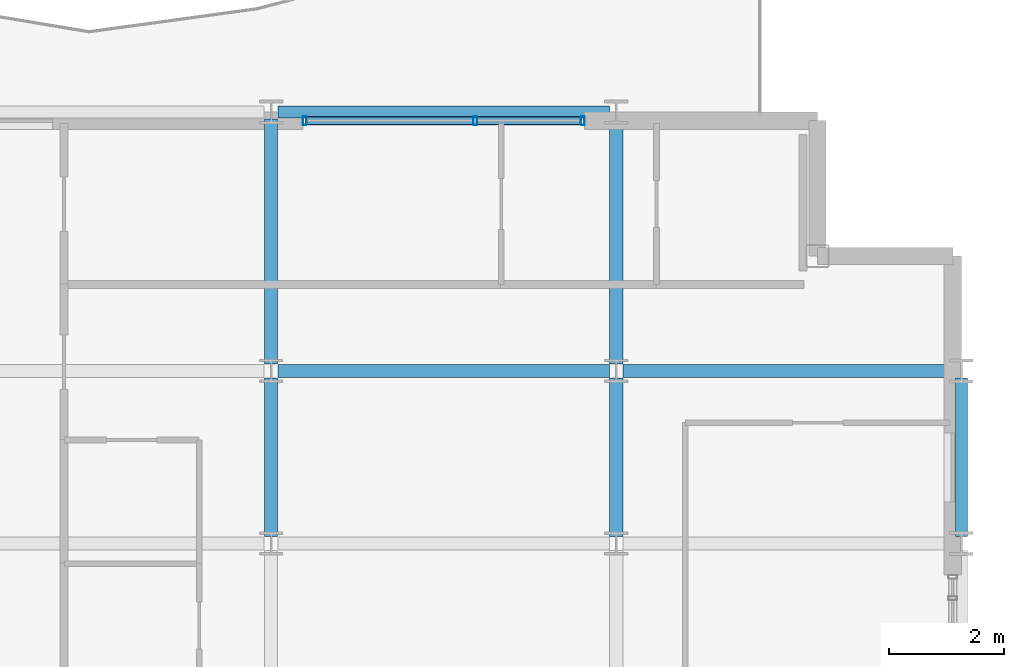
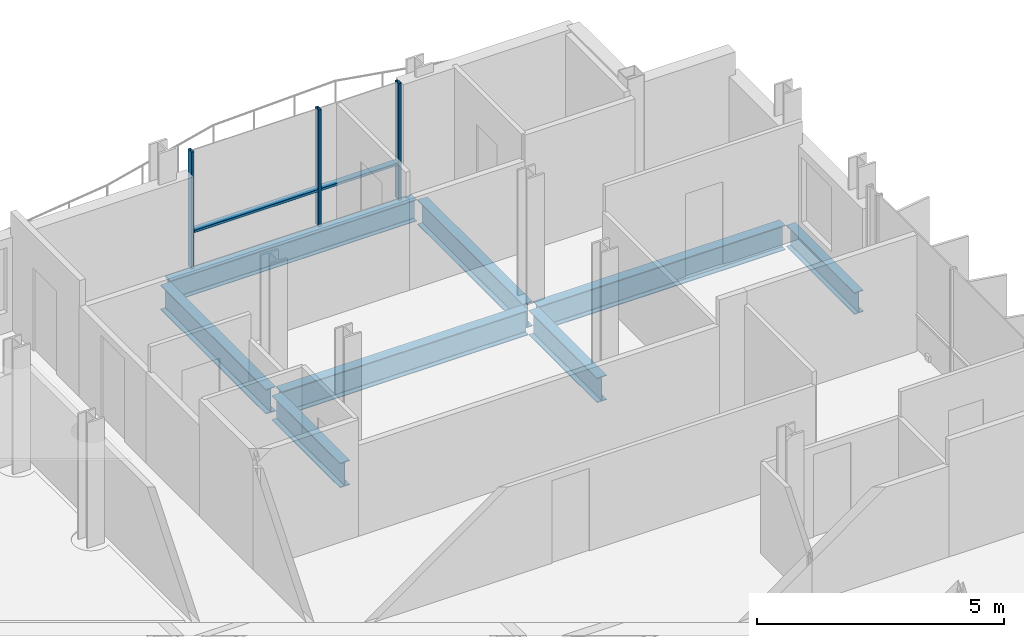
# One storey, part 22 of 39: 8 beams, 5 members, 1 element without a shape of its own.
"""IFC4 building model written with IfcOpenShell, lengths in metres."""

import ifcopenshell
import ifcopenshell.guid

model = None  # the IFC model being written
_history = None  # IfcOwnerHistory: only IFC2X3 demands one
_inside = {}  # id of a spatial element -> (the spatial element, [elements in it])
_under = {}  # id of a project, library or spatial element -> (it, [spatial elements below it])
_declared = {}  # id of a project -> (the project, [libraries it declares])
_typed = {}  # id of a type object -> (the type object, [elements of that type])
_made_of = {}  # id of a material, layer set ... -> (it, [elements and type objects made of it])


def new_model(schema):
    """Start an empty IFC model of exactly this schema.

    Asked for "IFC4X3", IfcOpenShell would pick the latest addendum, in which some entities
    have other attributes; the version numbers below select the first issue.
    IFC2X3 requires an IfcOwnerHistory on every rooted entity: one is made here for all.
    """
    global model, _history
    if schema == "IFC4X3":
        model = ifcopenshell.file(schema_version=(4, 3, 0, 0))
    else:
        model = ifcopenshell.file(schema=schema)
    _inside.clear()
    _under.clear()
    _declared.clear()
    _typed.clear()
    _made_of.clear()
    _history = None
    if model.schema == "IFC2X3":
        org = make("IfcOrganization", Name="unknown")
        user = make(
            "IfcPersonAndOrganization",
            ThePerson=make("IfcPerson", FamilyName="unknown"),
            TheOrganization=org,
        )
        app = make(
            "IfcApplication",
            ApplicationDeveloper=org,
            Version="unknown",
            ApplicationFullName="unknown",
            ApplicationIdentifier="unknown",
        )
        _history = make(
            "IfcOwnerHistory",
            OwningUser=user,
            OwningApplication=app,
            ChangeAction="ADDED",
            CreationDate=0,
        )
    return model


def make(cls, **values):
    """One entity of the class cls with the attributes given. An attribute that is None is left unset."""
    return model.create_entity(
        cls, **{name: value for name, value in values.items() if value is not None}
    )


def rooted(cls, **values):
    """An entity with a GlobalId (a new one), such as an element, a storey or a relation."""
    return make(cls, GlobalId=ifcopenshell.guid.new(), OwnerHistory=_history, **values)


def si_unit(unit_type, name, prefix=None):
    """IfcSIUnit, for example si_unit("LENGTHUNIT", "METRE", prefix="MILLI")."""
    return make("IfcSIUnit", UnitType=unit_type, Prefix=prefix, Name=name)


def assignment(units):
    """IfcUnitAssignment: the units of a project."""
    return None if units is None else make("IfcUnitAssignment", Units=units)


def point(xyz):
    """IfcCartesianPoint."""
    return None if xyz is None else make("IfcCartesianPoint", Coordinates=xyz)


def direction(xyz):
    """IfcDirection."""
    return None if xyz is None else make("IfcDirection", DirectionRatios=xyz)


def frame(location, z_axis=None, x_axis=None):
    """IfcAxis2Placement3D, a coordinate frame: its origin and axes. An axis left out is left unset."""
    return make(
        "IfcAxis2Placement3D",
        Location=point(location),
        Axis=direction(z_axis),
        RefDirection=direction(x_axis),
    )


def frame_2d(location, x_axis=None):
    """IfcAxis2Placement2D, a coordinate frame in the plane: its origin and x axis."""
    return make(
        "IfcAxis2Placement2D", Location=point(location), RefDirection=direction(x_axis)
    )


def origin():
    """The frame at (0, 0, 0) with its axes left unset."""
    return frame((0.0, 0.0, 0.0))


def origin_2d():
    """The frame at (0, 0) in the plane with its x axis left unset."""
    return frame_2d((0.0, 0.0))


def place(relative_to, where):
    """IfcLocalPlacement: puts the frame where relative to a parent placement (None: the world)."""
    return make(
        "IfcLocalPlacement", PlacementRelTo=relative_to, RelativePlacement=where
    )


def context(
    kind, dimensions, precision=None, world=None, true_north=None, identifier=None
):
    """IfcGeometricRepresentationContext, for example the 3D "Model" context."""
    return make(
        "IfcGeometricRepresentationContext",
        ContextIdentifier=identifier,
        ContextType=kind,
        CoordinateSpaceDimension=dimensions,
        Precision=precision,
        WorldCoordinateSystem=world,
        TrueNorth=true_north,
    )


def subcontext(parent, identifier, kind, view, scale=None):
    """IfcGeometricRepresentationSubContext, for example "Body" below "Model"."""
    return make(
        "IfcGeometricRepresentationSubContext",
        ContextIdentifier=identifier,
        ContextType=kind,
        ParentContext=parent,
        TargetScale=scale,
        TargetView=view,
    )


def project(units=None, contexts=None):
    """IfcProject with its units and contexts."""
    return rooted(
        "IfcProject",
        Name="project",
        RepresentationContexts=contexts,
        UnitsInContext=assignment(units),
    )


def spatial(cls, under=None, at=None, **own):
    """A site, building, storey or space (cls), placed at a placement, below another one or the project."""
    s = rooted(cls, ObjectPlacement=at, **own)
    if under is not None:
        _under.setdefault(under.id(), (under, []))[1].append(s)
    return s


def profile(cls, at=None, kind="AREA", **sizes):
    """A parametric profile (cls). Its sizes go by their IFC names, for example OverallWidth=200.0."""
    return make(cls, ProfileType=kind, Position=at, **sizes)


def hollow_rectangle(**sizes):
    """IfcRectangleHollowProfileDef."""
    return profile("IfcRectangleHollowProfileDef", **sizes)


def i_section(**sizes):
    """IfcIShapeProfileDef."""
    return profile("IfcIShapeProfileDef", **sizes)


def extrude(swept, where, along, depth):
    """IfcExtrudedAreaSolid: the profile swept, set in the frame where, extruded along a direction by depth."""
    return make(
        "IfcExtrudedAreaSolid",
        SweptArea=swept,
        Position=where,
        ExtrudedDirection=direction(along),
        Depth=depth,
    )


def shape(context_of_items, identifier, shape_type, items):
    """IfcShapeRepresentation: the items that make up one representation, for example the "Body"."""
    return make(
        "IfcShapeRepresentation",
        ContextOfItems=context_of_items,
        RepresentationIdentifier=identifier,
        RepresentationType=shape_type,
        Items=items,
    )


def material(Name=None, Category=None):
    """IfcMaterial."""
    return make("IfcMaterial", Name=Name, Category=Category)


def layer(
    of_material, thickness, ventilated=None, Name=None, Category=None, Priority=None
):
    """IfcMaterialLayer: one layer of a wall or slab, of a material (None: an air gap)."""
    return make(
        "IfcMaterialLayer",
        Material=of_material,
        LayerThickness=thickness,
        IsVentilated=ventilated,
        Name=Name,
        Category=Category,
        Priority=Priority,
    )


def layer_set(layers, Name=None):
    """IfcMaterialLayerSet."""
    return make("IfcMaterialLayerSet", MaterialLayers=layers, LayerSetName=Name)


def material_profile(
    of_material, cross_section, Name=None, Category=None, Priority=None
):
    """IfcMaterialProfile: a cross section and its material."""
    return make(
        "IfcMaterialProfile",
        Name=Name,
        Material=of_material,
        Profile=cross_section,
        Priority=Priority,
        Category=Category,
    )


def profile_set(profiles, Name=None, composite=None):
    """IfcMaterialProfileSet."""
    return make(
        "IfcMaterialProfileSet",
        Name=Name,
        MaterialProfiles=profiles,
        CompositeProfile=composite,
    )


def made_of(thing, what):
    """Note that an element or type object is made of a material, layer set ...; save() writes the relation."""
    if what is not None:
        _made_of.setdefault(what.id(), (what, []))[1].append(thing)
    return thing


def type_object(cls, material=None, **own):
    """A type object (cls), such as IfcWallType, which elements share."""
    return made_of(rooted(cls, **own), material)


def element(
    cls,
    number,
    at=None,
    inside=None,
    cuts=None,
    type_object=None,
    material=None,
    context=None,
    identifier="Body",
    shape_type=None,
    held_by="IfcProductDefinitionShape",
    body=None,
    shapes=None,
    **own,
):
    """One element of the class cls, such as IfcWall. Its Tag is "e" and its number.

    at: its placement. inside: the storey or other place that contains it. cuts: it is an
    opening in that element (IfcRelVoidsElement). A single representation is given by context,
    identifier, shape_type and body (its items); several are given by shapes. held_by: the class
    of the entity that holds the representations. save() writes the other relations.
    """
    e = rooted(cls, Tag="e%d" % number, ObjectPlacement=at, **own)
    if body is not None:
        shapes = [shape(context, identifier, shape_type, body)]
    if shapes is not None:
        e.Representation = make(held_by, Representations=shapes)
    if inside is not None:
        _inside.setdefault(inside.id(), (inside, []))[1].append(e)
    if cuts is not None:
        rooted(
            "IfcRelVoidsElement", RelatingBuildingElement=cuts, RelatedOpeningElement=e
        )
    if type_object is not None:
        _typed.setdefault(type_object.id(), (type_object, []))[1].append(e)
    return made_of(e, material)


def aggregate(whole, parts):
    """IfcRelAggregates: a whole, such as a stair, and the parts it consists of."""
    return rooted("IfcRelAggregates", RelatingObject=whole, RelatedObjects=parts)


def save(model, path):
    """Write the relations noted so far, then the file.

    IfcRelAggregates (storeys below a building ...), IfcRelContainedInSpatialStructure (elements
    in a storey), IfcRelDefinesByType, IfcRelAssociatesMaterial and IfcRelDeclares: one each for
    every whole, place, type object, material and project.
    """
    for whole, parts in _under.values():
        aggregate(whole, parts)
    for where, things in _inside.values():
        rooted(
            "IfcRelContainedInSpatialStructure",
            RelatedElements=things,
            RelatingStructure=where,
        )
    for kind, things in _typed.values():
        rooted("IfcRelDefinesByType", RelatedObjects=things, RelatingType=kind)
    for what, things in _made_of.values():
        rooted("IfcRelAssociatesMaterial", RelatedObjects=things, RelatingMaterial=what)
    for by, libraries in _declared.values():
        rooted("IfcRelDeclares", RelatingContext=by, RelatedDefinitions=libraries)
    model.write(path)


model = new_model("IFC4")

# Units and contexts
model_context = context("Model", 3, precision=1e-05, world=origin(), true_north=direction((0.0, 1.0)))
body_context = subcontext(model_context, "Body", "Model", "MODEL_VIEW")
ifc_project = project(units=[si_unit("LENGTHUNIT", "METRE"), si_unit("AREAUNIT", "SQUARE_METRE"), si_unit("VOLUMEUNIT", "CUBIC_METRE"), si_unit("PLANEANGLEUNIT", "RADIAN"), si_unit("MASSUNIT", "GRAM", prefix="KILO")], contexts=[model_context])

# Site, building, storey
site_placement = place(None, origin())
site = spatial("IfcSite", under=ifc_project, at=site_placement, CompositionType="ELEMENT")
building_placement = place(site_placement, origin())
building = spatial("IfcBuilding", under=site, at=building_placement, Name="Brevholm Reach", CompositionType="ELEMENT")
storey_placement = place(building_placement, frame((0.0, 0.0, 154.199951171875)))
storey = spatial("IfcBuildingStorey", under=building, at=storey_placement, Name="L46", CompositionType="ELEMENT", Elevation=154.199951171875)

# Beams
ifc_material_1 = material(Name="Structural Steel S355J2", Category="steel")
ifc_material_profile_1 = material_profile(ifc_material_1, i_section(OverallWidth=0.209228515625, OverallDepth=0.533203125, WebThickness=0.010009765625, FlangeThickness=0.015625, FilletRadius=0.0126953125, at=origin_2d()), Name="UKB 533x210x92")
ifc_profile_set_1 = profile_set([ifc_material_profile_1], Name="Structural Steel S355J2")
beam_type_1 = type_object("IfcBeamType", Name="BM-SP533", PredefinedType="SPANDREL", material=ifc_profile_set_1)
beam_1_placement = place(storey_placement, frame((48.1201171875, 31.0, -0.486572265625), z_axis=(1.0, 0.0, 0.0), x_axis=(0.0, 1.0, 0.0)))
element("IfcBeam", 1, at=beam_1_placement, inside=storey, type_object=beam_type_1, Name="L46 SP-02 Framing Beam", PredefinedType="SPANDREL", context=body_context, shape_type="SweptSolid", body=[
    extrude(i_section(OverallWidth=0.209228515625, OverallDepth=0.533203125, WebThickness=0.010009765625, FlangeThickness=0.015625, FilletRadius=0.0126953125, at=origin_2d()), origin(), (0.0, 0.0, 1.0), 5.759765625),
])
beam_2_placement = place(storey_placement, frame((60.0, 23.6201171875, -0.486572265625), z_axis=(0.0, 1.0, 0.0), x_axis=(-1.0, 0.0, 0.0)))
element("IfcBeam", 2, at=beam_2_placement, inside=storey, type_object=beam_type_1, Name="L46 SP-02 Framing Beam", PredefinedType="SPANDREL", context=body_context, shape_type="SweptSolid", body=[
    extrude(i_section(OverallWidth=0.209228515625, OverallDepth=0.533203125, WebThickness=0.010009765625, FlangeThickness=0.015625, FilletRadius=0.0126953125, at=origin_2d()), origin(), (0.0, 0.0, 1.0), 2.759765625),
])
ifc_material_2 = material(Name="Structural Steel S355J2", Category="steel")
ifc_material_profile_2 = material_profile(ifc_material_2, i_section(OverallWidth=0.22900390625, OverallDepth=0.6123046875, WebThickness=0.011962890625, FlangeThickness=0.01953125, FilletRadius=0.0126953125, at=origin_2d()), Name="UKB 610x229x125")
ifc_profile_set_2 = profile_set([ifc_material_profile_2], Name="Structural Steel S355J2")
beam_type_2 = type_object("IfcBeamType", Name="BM-SP610", PredefinedType="SPANDREL", material=ifc_profile_set_2)
for number, where, z_axis, x_axis, name in (
    (3, (48.1201171875, 26.5, -0.526123046875), (1.0, 0.0, 0.0), (0.0, 1.0, 0.0), "L46 SP-01 Framing Beam"),
    (4, (54.1201171875, 26.5, -0.526123046875), (1.0, 0.0, 0.0), (0.0, 1.0, 0.0), "L46 SP-01 Framing Beam"),
):
    element("IfcBeam", number, at=place(storey_placement, frame(where, z_axis=z_axis, x_axis=x_axis)), inside=storey, type_object=beam_type_2, Name=name, PredefinedType="SPANDREL", context=body_context, shape_type="SweptSolid", body=[
        extrude(i_section(OverallWidth=0.22900390625, OverallDepth=0.6123046875, WebThickness=0.011962890625, FlangeThickness=0.01953125, FilletRadius=0.0126953125, at=origin_2d()), origin(), (0.0, 0.0, 1.0), 5.759765625),
    ])
beam_3_placement = place(storey_placement, frame((48.0, 23.6201171875, -0.526123046875), z_axis=(0.0, 1.0, 0.0), x_axis=(-1.0, 0.0, 0.0)))
element("IfcBeam", 5, at=beam_3_placement, inside=storey, type_object=beam_type_2, Name="L46 SP-01 Framing Beam", PredefinedType="SPANDREL", context=body_context, shape_type="SweptSolid", body=[
    extrude(i_section(OverallWidth=0.22900390625, OverallDepth=0.6123046875, WebThickness=0.011962890625, FlangeThickness=0.01953125, FilletRadius=0.0126953125, at=origin_2d()), origin(), (0.0, 0.0, 1.0), 2.759765625),
])
beam_4_placement = place(storey_placement, frame((48.0, 26.6201171875, -0.526123046875), z_axis=(0.0, 1.0, 0.0), x_axis=(-1.0, 0.0, 0.0)))
element("IfcBeam", 6, at=beam_4_placement, inside=storey, type_object=beam_type_2, Name="L46 SP-01 Framing Beam", PredefinedType="SPANDREL", context=body_context, shape_type="SweptSolid", body=[
    extrude(i_section(OverallWidth=0.22900390625, OverallDepth=0.6123046875, WebThickness=0.011962890625, FlangeThickness=0.01953125, FilletRadius=0.0126953125, at=origin_2d()), origin(), (0.0, 0.0, 1.0), 4.259765625),
])
beam_5_placement = place(storey_placement, frame((54.0, 23.6201171875, -0.526123046875), z_axis=(0.0, 1.0, 0.0), x_axis=(-1.0, 0.0, 0.0)))
element("IfcBeam", 7, at=beam_5_placement, inside=storey, type_object=beam_type_2, Name="L46 SP-01 Framing Beam", PredefinedType="SPANDREL", context=body_context, shape_type="SweptSolid", body=[
    extrude(i_section(OverallWidth=0.22900390625, OverallDepth=0.6123046875, WebThickness=0.011962890625, FlangeThickness=0.01953125, FilletRadius=0.0126953125, at=origin_2d()), origin(), (0.0, 0.0, 1.0), 2.759765625),
])
beam_6_placement = place(storey_placement, frame((54.0, 26.6201171875, -0.526123046875), z_axis=(0.0, 1.0, 0.0), x_axis=(-1.0, 0.0, 0.0)))
element("IfcBeam", 8, at=beam_6_placement, inside=storey, type_object=beam_type_2, Name="L46 SP-01 Framing Beam", PredefinedType="SPANDREL", context=body_context, shape_type="SweptSolid", body=[
    extrude(i_section(OverallWidth=0.22900390625, OverallDepth=0.6123046875, WebThickness=0.011962890625, FlangeThickness=0.01953125, FilletRadius=0.0126953125, at=origin_2d()), origin(), (0.0, 0.0, 1.0), 4.259765625),
])

# Curtain wall, members
ifc_material_3 = material(Name="Dark Anodised Aluminium 6063-T6 and Solar-Control Glass", Category="aluminium")
ifc_layer = layer(ifc_material_3, 0.14990234375)
ifc_layer_set = layer_set([ifc_layer], Name="Dark Anodised Aluminium 6063-T6 and Solar-Control Glass")
curtain_wall_type = type_object("IfcCurtainWallType", Name="CW-01", PredefinedType="NOTDEFINED", material=ifc_layer_set)
curtain_wall_placement = place(storey_placement, origin())
curtain_wall = element("IfcCurtainWall", 9, at=curtain_wall_placement, inside=storey, type_object=curtain_wall_type, Name="L46 Curtain Wall CW-01", PredefinedType="NOTDEFINED")
ifc_material_4 = material(Name="Dark Anodised Aluminium 6063-T6", Category="aluminium")
ifc_material_profile_3 = material_profile(ifc_material_4, hollow_rectangle(XDim=0.06494140625, YDim=0.14990234375, WallThickness=0.0048828125, InnerFilletRadius=0.0048828125, OuterFilletRadius=0.010009765625, at=origin_2d()), Name="RHS 150x65x5")
ifc_profile_set_3 = profile_set([ifc_material_profile_3], Name="Dark Anodised Aluminium 6063-T6")
member_type_1 = type_object("IfcMemberType", Name="CWM-150", PredefinedType="MULLION", material=ifc_profile_set_3)
member_1_placement = place(storey_placement, frame((48.58251953125, 30.85009765625, 0.0), z_axis=(0.0, 0.0, 1.0), x_axis=(1.0, 0.0, 0.0)))
member_1 = element("IfcMember", 10, at=member_1_placement, type_object=member_type_1, Name="CM-150 Mullion 1", PredefinedType="MULLION", context=body_context, shape_type="SweptSolid", body=[
    extrude(hollow_rectangle(XDim=0.06494140625, YDim=0.14990234375, WallThickness=0.0048828125, InnerFilletRadius=0.0048828125, OuterFilletRadius=0.010009765625, at=origin_2d()), origin(), (0.0, 0.0, 1.0), 2.880126953125),
])
member_2_placement = place(storey_placement, frame((51.550048828125, 30.85009765625, 0.0), z_axis=(0.0, 0.0, 1.0), x_axis=(1.0, 0.0, 0.0)))
member_2 = element("IfcMember", 11, at=member_2_placement, type_object=member_type_1, Name="CM-150 Mullion 2", PredefinedType="MULLION", context=body_context, shape_type="SweptSolid", body=[
    extrude(hollow_rectangle(XDim=0.06494140625, YDim=0.14990234375, WallThickness=0.0048828125, InnerFilletRadius=0.0048828125, OuterFilletRadius=0.010009765625, at=origin_2d()), origin(), (0.0, 0.0, 1.0), 2.880126953125),
])
member_3_placement = place(storey_placement, frame((53.41748046875, 30.85009765625, 0.0), z_axis=(0.0, 0.0, 1.0), x_axis=(1.0, 0.0, 0.0)))
member_3 = element("IfcMember", 12, at=member_3_placement, type_object=member_type_1, Name="CM-150 Mullion 3", PredefinedType="MULLION", context=body_context, shape_type="SweptSolid", body=[
    extrude(hollow_rectangle(XDim=0.06494140625, YDim=0.14990234375, WallThickness=0.0048828125, InnerFilletRadius=0.0048828125, OuterFilletRadius=0.010009765625, at=origin_2d()), origin(), (0.0, 0.0, 1.0), 2.880126953125),
])
ifc_material_5 = material(Name="Dark Anodised Aluminium 6063-T6", Category="aluminium")
ifc_material_profile_4 = material_profile(ifc_material_5, hollow_rectangle(XDim=0.06494140625, YDim=0.14990234375, WallThickness=0.0048828125, InnerFilletRadius=0.0048828125, OuterFilletRadius=0.010009765625, at=origin_2d()), Name="RHS 150x65x5")
ifc_profile_set_4 = profile_set([ifc_material_profile_4], Name="Dark Anodised Aluminium 6063-T6")
member_type_2 = type_object("IfcMemberType", Name="CWT-150", PredefinedType="NOTDEFINED", material=ifc_profile_set_4)
member_4_placement = place(storey_placement, frame((48.614990234375, 30.85009765625, 0.900146484375), z_axis=(1.0, 0.0, 0.0), x_axis=(0.0, 0.0, 1.0)))
member_4 = element("IfcMember", 13, at=member_4_placement, type_object=member_type_2, Name="CT-150 Transom 1.1", ObjectType="TRANSOM", PredefinedType="USERDEFINED", context=body_context, shape_type="SweptSolid", body=[
    extrude(hollow_rectangle(XDim=0.06494140625, YDim=0.14990234375, WallThickness=0.0048828125, InnerFilletRadius=0.0048828125, OuterFilletRadius=0.010009765625, at=origin_2d()), origin(), (0.0, 0.0, 1.0), 2.902587890625),
])
member_5_placement = place(storey_placement, frame((51.58251953125, 30.85009765625, 0.900146484375), z_axis=(1.0, 0.0, 0.0), x_axis=(0.0, 0.0, 1.0)))
member_5 = element("IfcMember", 14, at=member_5_placement, type_object=member_type_2, Name="CT-150 Transom 2.1", ObjectType="TRANSOM", PredefinedType="USERDEFINED", context=body_context, shape_type="SweptSolid", body=[
    extrude(hollow_rectangle(XDim=0.06494140625, YDim=0.14990234375, WallThickness=0.0048828125, InnerFilletRadius=0.0048828125, OuterFilletRadius=0.010009765625, at=origin_2d()), origin(), (0.0, 0.0, 1.0), 1.802490234375),
])
aggregate(curtain_wall, [member_1, member_2, member_3, member_4, member_5])

save(model, "model.ifc")
